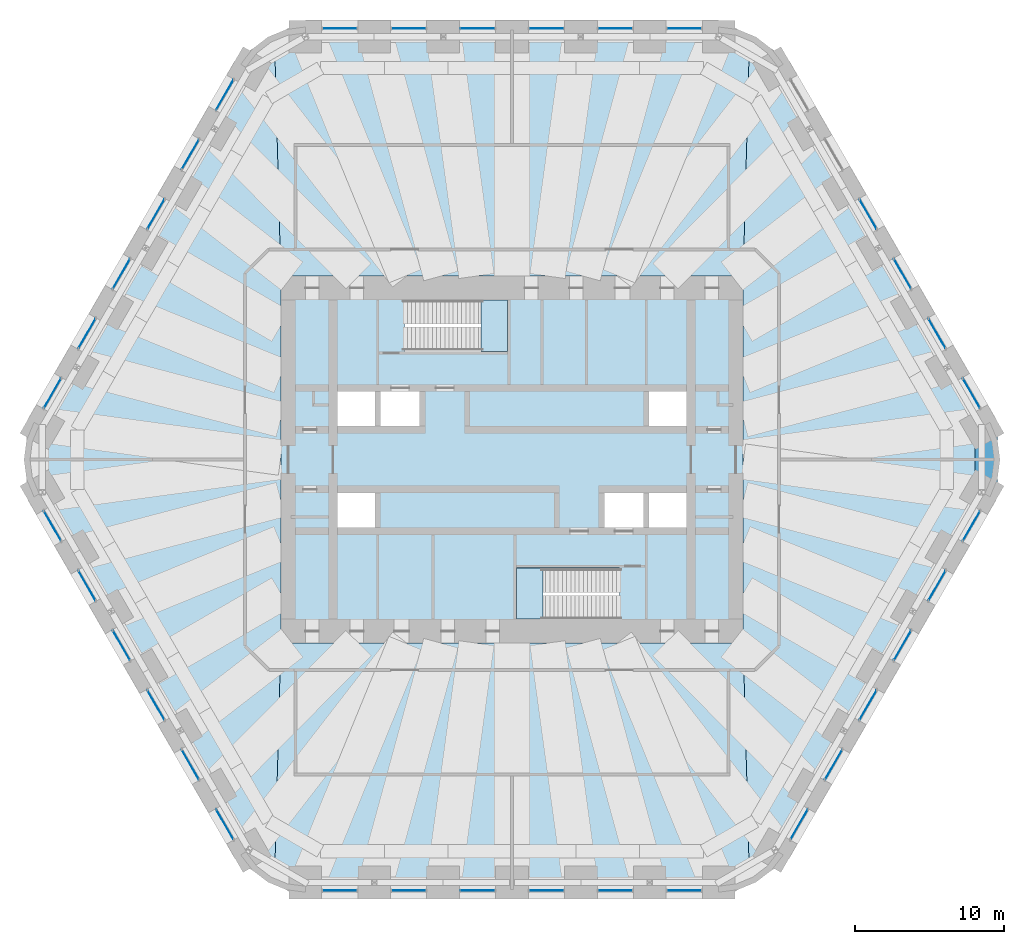
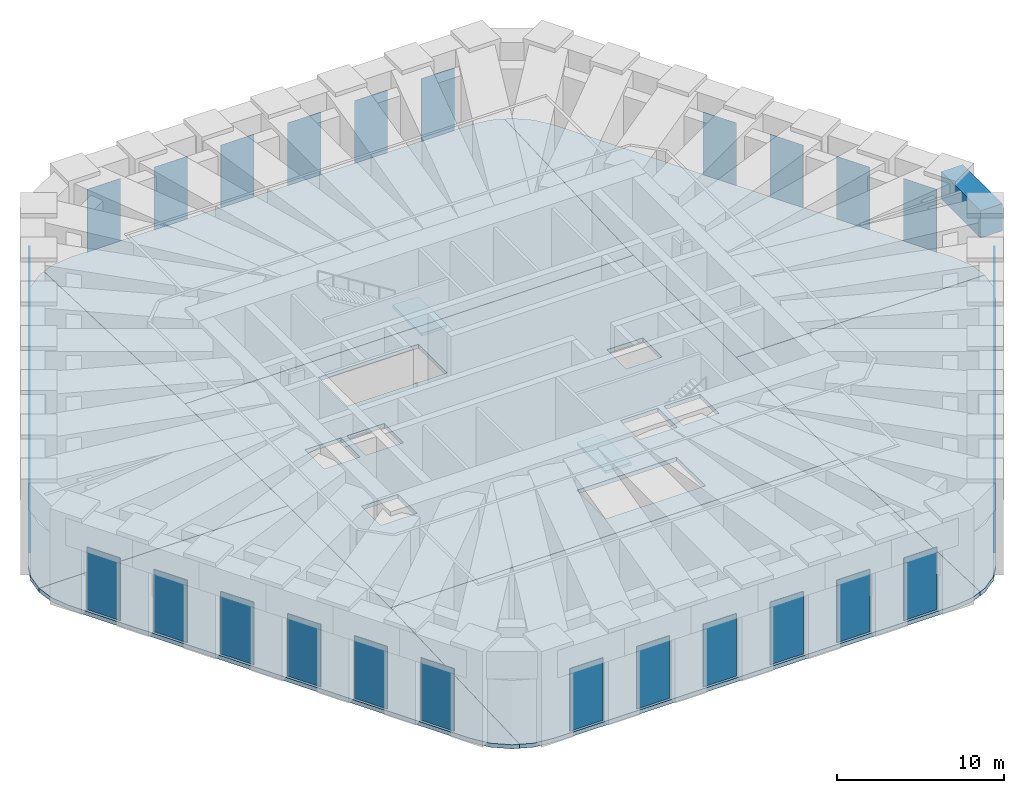
# One storey, part 10 of 14: 34 plates, 9 slabs, 1 beam, 36 elements without a shape of their own.
"""IFC4 building model written with IfcOpenShell, lengths in metres."""

from ifc_helpers import new_model, si_unit, direction, frame, origin, origin_2d, place, context, subcontext, project, spatial, polyline, rectangle, outline, extrude, material, layer, layer_set, material_profile, profile_set, type_object, element, aggregate, save


model = new_model("IFC4")

# Units and contexts
model_context = context("Model", 3, precision=1e-05, world=origin(), true_north=direction((0.0, 1.0)))
body_context = subcontext(model_context, "Body", "Model", "MODEL_VIEW")
ifc_project = project(units=[si_unit("LENGTHUNIT", "METRE"), si_unit("AREAUNIT", "SQUARE_METRE"), si_unit("VOLUMEUNIT", "CUBIC_METRE"), si_unit("PLANEANGLEUNIT", "RADIAN"), si_unit("MASSUNIT", "GRAM", prefix="KILO")], contexts=[model_context])

# Site, building, storey
site_placement = place(None, origin())
site = spatial("IfcSite", under=ifc_project, at=site_placement, CompositionType="ELEMENT")
building_placement = place(site_placement, origin())
building = spatial("IfcBuilding", under=site, at=building_placement, Name="Tarfa Lantern Tower", CompositionType="ELEMENT")
storey_placement = place(building_placement, frame((0.0, 0.0, 299.5)))
storey = spatial("IfcBuildingStorey", under=building, at=storey_placement, Name="L68", CompositionType="ELEMENT", Elevation=299.5)

# Beam
ifc_material_1 = material(Name="Concrete C80/95", Category="concrete")
ifc_material_profile = material_profile(ifc_material_1, rectangle(XDim=1.5, YDim=2.0, at=origin_2d()), Name="RC 1500x2000")
ifc_profile_set = profile_set([ifc_material_profile], Name="Concrete C80/95")
beam_type = type_object("IfcBeamType", Name="RB3 RC 1500x2000", PredefinedType="BEAM", material=ifc_profile_set)
beam_placement = place(storey_placement, frame((31.800537109375, -2.360107421875, 5.699951171875), z_axis=(0.0, 1.0, 0.0), x_axis=(-1.0, 0.0, 0.0)))
element("IfcBeam", 1, at=beam_placement, inside=storey, type_object=beam_type, Name="Edge beam SE6", PredefinedType="BEAM", context=body_context, shape_type="SweptSolid", body=[
    extrude(rectangle(XDim=1.5, YDim=2.0, at=origin_2d()), origin(), (0.0, 0.0, 1.0), 4.72021484375),
])

# Curtain wall, plate
ifc_material_2 = material(Name="Aluminium framed curtain wall", Category="aluminium")
curtain_wall_type = type_object("IfcCurtainWallType", Name="CW6 LOUVRED SCREEN WALL 4700", PredefinedType="USERDEFINED", material=ifc_material_2)
curtain_wall_1_placement = place(storey_placement, origin())
curtain_wall_1 = element("IfcCurtainWall", 2, at=curtain_wall_1_placement, inside=storey, type_object=curtain_wall_type, Name="CW6 NE L68", ObjectType="CURTAIN WALL", PredefinedType="USERDEFINED")
ifc_material_3 = material(Name="Aluminium louvre blades", Category="aluminium")
ifc_layer_1 = layer(ifc_material_3, 0.028076171875)
ifc_layer_set_1 = layer_set([ifc_layer_1], Name="CWP2 LOUVRE PANEL")
plate_type = type_object("IfcPlateType", Name="CWP2 LOUVRE PANEL", PredefinedType="CURTAIN_PANEL", material=ifc_layer_set_1)
plate_1_placement = place(storey_placement, frame((30.8017578125, 4.449951171875, 0.06494140625), z_axis=(0.0, 0.0, 1.0), x_axis=(-0.5, 0.866025403784, 0.0)))
plate_1 = element("IfcPlate", 3, at=plate_1_placement, type_object=plate_type, Name="CW6 panel 1.1", PredefinedType="CURTAIN_PANEL", context=body_context, shape_type="SweptSolid", body=[
    extrude(rectangle(XDim=2.288818359375, YDim=0.028076171875, at=origin_2d()), origin(), (0.0, 0.0, 1.0), 4.570068359375),
])
aggregate(curtain_wall_1, [plate_1])

curtain_wall_2_placement = place(storey_placement, origin())
curtain_wall_2 = element("IfcCurtainWall", 4, at=curtain_wall_2_placement, inside=storey, type_object=curtain_wall_type, Name="CW6 NE L68", ObjectType="CURTAIN WALL", PredefinedType="USERDEFINED")
plate_2_placement = place(storey_placement, frame((28.4921875, 8.449951171875, 0.06494140625), z_axis=(0.0, 0.0, 1.0), x_axis=(-0.5, 0.866025403784, 0.0)))
plate_2 = element("IfcPlate", 5, at=plate_2_placement, type_object=plate_type, Name="CW6 panel 1.1", PredefinedType="CURTAIN_PANEL", context=body_context, shape_type="SweptSolid", body=[
    extrude(rectangle(XDim=2.288818359375, YDim=0.028076171875, at=origin_2d()), origin(), (0.0, 0.0, 1.0), 4.570068359375),
])
aggregate(curtain_wall_2, [plate_2])

curtain_wall_3_placement = place(storey_placement, origin())
curtain_wall_3 = element("IfcCurtainWall", 6, at=curtain_wall_3_placement, inside=storey, type_object=curtain_wall_type, Name="CW6 NE L68", ObjectType="CURTAIN WALL", PredefinedType="USERDEFINED")
plate_3_placement = place(storey_placement, frame((26.182861328125, 12.449951171875, 0.06494140625), z_axis=(0.0, 0.0, 1.0), x_axis=(-0.5, 0.866025403784, 0.0)))
plate_3 = element("IfcPlate", 7, at=plate_3_placement, type_object=plate_type, Name="CW6 panel 1.1", PredefinedType="CURTAIN_PANEL", context=body_context, shape_type="SweptSolid", body=[
    extrude(rectangle(XDim=2.288818359375, YDim=0.028076171875, at=origin_2d()), origin(), (0.0, 0.0, 1.0), 4.570068359375),
])
aggregate(curtain_wall_3, [plate_3])

curtain_wall_4_placement = place(storey_placement, origin())
curtain_wall_4 = element("IfcCurtainWall", 8, at=curtain_wall_4_placement, inside=storey, type_object=curtain_wall_type, Name="CW6 NE L68", ObjectType="CURTAIN WALL", PredefinedType="USERDEFINED")
plate_4_placement = place(storey_placement, frame((23.87353515625, 16.449951171875, 0.06494140625), z_axis=(0.0, 0.0, 1.0), x_axis=(-0.5, 0.866025403784, 0.0)))
plate_4 = element("IfcPlate", 9, at=plate_4_placement, type_object=plate_type, Name="CW6 panel 1.1", PredefinedType="CURTAIN_PANEL", context=body_context, shape_type="SweptSolid", body=[
    extrude(rectangle(XDim=2.288818359375, YDim=0.028076171875, at=origin_2d()), origin(), (0.0, 0.0, 1.0), 4.570068359375),
])
aggregate(curtain_wall_4, [plate_4])

curtain_wall_5_placement = place(storey_placement, origin())
curtain_wall_5 = element("IfcCurtainWall", 10, at=curtain_wall_5_placement, inside=storey, type_object=curtain_wall_type, Name="CW6 N L68", ObjectType="CURTAIN WALL", PredefinedType="USERDEFINED")
plate_5_placement = place(storey_placement, frame((11.547119140625, 28.89990234375, 0.06494140625), z_axis=(0.0, 0.0, 1.0), x_axis=(-1.0, 0.0, 0.0)))
plate_5 = element("IfcPlate", 11, at=plate_5_placement, type_object=plate_type, Name="CW6 panel 1.1", PredefinedType="CURTAIN_PANEL", context=body_context, shape_type="SweptSolid", body=[
    extrude(rectangle(XDim=2.288818359375, YDim=0.028076171875, at=origin_2d()), origin(), (0.0, 0.0, 1.0), 4.570068359375),
])
aggregate(curtain_wall_5, [plate_5])

curtain_wall_6_placement = place(storey_placement, origin())
curtain_wall_6 = element("IfcCurtainWall", 12, at=curtain_wall_6_placement, inside=storey, type_object=curtain_wall_type, Name="CW6 N L68", ObjectType="CURTAIN WALL", PredefinedType="USERDEFINED")
plate_6_placement = place(storey_placement, frame((6.92822265625, 28.89990234375, 0.06494140625), z_axis=(0.0, 0.0, 1.0), x_axis=(-1.0, 0.0, 0.0)))
plate_6 = element("IfcPlate", 13, at=plate_6_placement, type_object=plate_type, Name="CW6 panel 1.1", PredefinedType="CURTAIN_PANEL", context=body_context, shape_type="SweptSolid", body=[
    extrude(rectangle(XDim=2.288818359375, YDim=0.028076171875, at=origin_2d()), origin(), (0.0, 0.0, 1.0), 4.570068359375),
])
aggregate(curtain_wall_6, [plate_6])

curtain_wall_7_placement = place(storey_placement, origin())
curtain_wall_7 = element("IfcCurtainWall", 14, at=curtain_wall_7_placement, inside=storey, type_object=curtain_wall_type, Name="CW6 N L68", ObjectType="CURTAIN WALL", PredefinedType="USERDEFINED")
plate_7_placement = place(storey_placement, frame((2.309326171875, 28.89990234375, 0.06494140625), z_axis=(0.0, 0.0, 1.0), x_axis=(-1.0, 0.0, 0.0)))
plate_7 = element("IfcPlate", 15, at=plate_7_placement, type_object=plate_type, Name="CW6 panel 1.1", PredefinedType="CURTAIN_PANEL", context=body_context, shape_type="SweptSolid", body=[
    extrude(rectangle(XDim=2.288818359375, YDim=0.028076171875, at=origin_2d()), origin(), (0.0, 0.0, 1.0), 4.570068359375),
])
aggregate(curtain_wall_7, [plate_7])

curtain_wall_8_placement = place(storey_placement, origin())
curtain_wall_8 = element("IfcCurtainWall", 16, at=curtain_wall_8_placement, inside=storey, type_object=curtain_wall_type, Name="CW6 N L68", ObjectType="CURTAIN WALL", PredefinedType="USERDEFINED")
plate_8_placement = place(storey_placement, frame((-2.309326171875, 28.89990234375, 0.06494140625), z_axis=(0.0, 0.0, 1.0), x_axis=(-1.0, 0.0, 0.0)))
plate_8 = element("IfcPlate", 17, at=plate_8_placement, type_object=plate_type, Name="CW6 panel 1.1", PredefinedType="CURTAIN_PANEL", context=body_context, shape_type="SweptSolid", body=[
    extrude(rectangle(XDim=2.288818359375, YDim=0.028076171875, at=origin_2d()), origin(), (0.0, 0.0, 1.0), 4.570068359375),
])
aggregate(curtain_wall_8, [plate_8])

curtain_wall_9_placement = place(storey_placement, origin())
curtain_wall_9 = element("IfcCurtainWall", 18, at=curtain_wall_9_placement, inside=storey, type_object=curtain_wall_type, Name="CW6 N L68", ObjectType="CURTAIN WALL", PredefinedType="USERDEFINED")
plate_9_placement = place(storey_placement, frame((-6.92822265625, 28.89990234375, 0.06494140625), z_axis=(0.0, 0.0, 1.0), x_axis=(-1.0, 0.0, 0.0)))
plate_9 = element("IfcPlate", 19, at=plate_9_placement, type_object=plate_type, Name="CW6 panel 1.1", PredefinedType="CURTAIN_PANEL", context=body_context, shape_type="SweptSolid", body=[
    extrude(rectangle(XDim=2.288818359375, YDim=0.028076171875, at=origin_2d()), origin(), (0.0, 0.0, 1.0), 4.570068359375),
])
aggregate(curtain_wall_9, [plate_9])

curtain_wall_10_placement = place(storey_placement, origin())
curtain_wall_10 = element("IfcCurtainWall", 20, at=curtain_wall_10_placement, inside=storey, type_object=curtain_wall_type, Name="CW6 N L68", ObjectType="CURTAIN WALL", PredefinedType="USERDEFINED")
plate_10_placement = place(storey_placement, frame((-11.547119140625, 28.89990234375, 0.06494140625), z_axis=(0.0, 0.0, 1.0), x_axis=(-1.0, 0.0, 0.0)))
plate_10 = element("IfcPlate", 21, at=plate_10_placement, type_object=plate_type, Name="CW6 panel 1.1", PredefinedType="CURTAIN_PANEL", context=body_context, shape_type="SweptSolid", body=[
    extrude(rectangle(XDim=2.288818359375, YDim=0.028076171875, at=origin_2d()), origin(), (0.0, 0.0, 1.0), 4.570068359375),
])
aggregate(curtain_wall_10, [plate_10])

curtain_wall_11_placement = place(storey_placement, origin())
curtain_wall_11 = element("IfcCurtainWall", 22, at=curtain_wall_11_placement, inside=storey, type_object=curtain_wall_type, Name="CW6 NW L68", ObjectType="CURTAIN WALL", PredefinedType="USERDEFINED")
plate_11_placement = place(storey_placement, frame((-19.254638671875, 24.449951171875, 0.06494140625), z_axis=(0.0, 0.0, 1.0), x_axis=(-0.5, -0.866025403784, 0.0)))
plate_11 = element("IfcPlate", 23, at=plate_11_placement, type_object=plate_type, Name="CW6 panel 1.1", PredefinedType="CURTAIN_PANEL", context=body_context, shape_type="SweptSolid", body=[
    extrude(rectangle(XDim=2.288818359375, YDim=0.028076171875, at=origin_2d()), origin(), (0.0, 0.0, 1.0), 4.570068359375),
])
aggregate(curtain_wall_11, [plate_11])

curtain_wall_12_placement = place(storey_placement, origin())
curtain_wall_12 = element("IfcCurtainWall", 24, at=curtain_wall_12_placement, inside=storey, type_object=curtain_wall_type, Name="CW6 NW L68", ObjectType="CURTAIN WALL", PredefinedType="USERDEFINED")
plate_12_placement = place(storey_placement, frame((-21.56396484375, 20.449951171875, 0.06494140625), z_axis=(0.0, 0.0, 1.0), x_axis=(-0.5, -0.866025403784, 0.0)))
plate_12 = element("IfcPlate", 25, at=plate_12_placement, type_object=plate_type, Name="CW6 panel 1.1", PredefinedType="CURTAIN_PANEL", context=body_context, shape_type="SweptSolid", body=[
    extrude(rectangle(XDim=2.288818359375, YDim=0.028076171875, at=origin_2d()), origin(), (0.0, 0.0, 1.0), 4.570068359375),
])
aggregate(curtain_wall_12, [plate_12])

curtain_wall_13_placement = place(storey_placement, origin())
curtain_wall_13 = element("IfcCurtainWall", 26, at=curtain_wall_13_placement, inside=storey, type_object=curtain_wall_type, Name="CW6 NW L68", ObjectType="CURTAIN WALL", PredefinedType="USERDEFINED")
plate_13_placement = place(storey_placement, frame((-23.87353515625, 16.449951171875, 0.06494140625), z_axis=(0.0, 0.0, 1.0), x_axis=(-0.5, -0.866025403784, 0.0)))
plate_13 = element("IfcPlate", 27, at=plate_13_placement, type_object=plate_type, Name="CW6 panel 1.1", PredefinedType="CURTAIN_PANEL", context=body_context, shape_type="SweptSolid", body=[
    extrude(rectangle(XDim=2.288818359375, YDim=0.028076171875, at=origin_2d()), origin(), (0.0, 0.0, 1.0), 4.570068359375),
])
aggregate(curtain_wall_13, [plate_13])

curtain_wall_14_placement = place(storey_placement, origin())
curtain_wall_14 = element("IfcCurtainWall", 28, at=curtain_wall_14_placement, inside=storey, type_object=curtain_wall_type, Name="CW6 NW L68", ObjectType="CURTAIN WALL", PredefinedType="USERDEFINED")
plate_14_placement = place(storey_placement, frame((-26.182861328125, 12.449951171875, 0.06494140625), z_axis=(0.0, 0.0, 1.0), x_axis=(-0.5, -0.866025403784, 0.0)))
plate_14 = element("IfcPlate", 29, at=plate_14_placement, type_object=plate_type, Name="CW6 panel 1.1", PredefinedType="CURTAIN_PANEL", context=body_context, shape_type="SweptSolid", body=[
    extrude(rectangle(XDim=2.288818359375, YDim=0.028076171875, at=origin_2d()), origin(), (0.0, 0.0, 1.0), 4.570068359375),
])
aggregate(curtain_wall_14, [plate_14])

curtain_wall_15_placement = place(storey_placement, origin())
curtain_wall_15 = element("IfcCurtainWall", 30, at=curtain_wall_15_placement, inside=storey, type_object=curtain_wall_type, Name="CW6 NW L68", ObjectType="CURTAIN WALL", PredefinedType="USERDEFINED")
plate_15_placement = place(storey_placement, frame((-28.4921875, 8.449951171875, 0.06494140625), z_axis=(0.0, 0.0, 1.0), x_axis=(-0.5, -0.866025403784, 0.0)))
plate_15 = element("IfcPlate", 31, at=plate_15_placement, type_object=plate_type, Name="CW6 panel 1.1", PredefinedType="CURTAIN_PANEL", context=body_context, shape_type="SweptSolid", body=[
    extrude(rectangle(XDim=2.288818359375, YDim=0.028076171875, at=origin_2d()), origin(), (0.0, 0.0, 1.0), 4.570068359375),
])
aggregate(curtain_wall_15, [plate_15])

curtain_wall_16_placement = place(storey_placement, origin())
curtain_wall_16 = element("IfcCurtainWall", 32, at=curtain_wall_16_placement, inside=storey, type_object=curtain_wall_type, Name="CW6 NW L68", ObjectType="CURTAIN WALL", PredefinedType="USERDEFINED")
plate_16_placement = place(storey_placement, frame((-30.8017578125, 4.449951171875, 0.06494140625), z_axis=(0.0, 0.0, 1.0), x_axis=(-0.5, -0.866025403784, 0.0)))
plate_16 = element("IfcPlate", 33, at=plate_16_placement, type_object=plate_type, Name="CW6 panel 1.1", PredefinedType="CURTAIN_PANEL", context=body_context, shape_type="SweptSolid", body=[
    extrude(rectangle(XDim=2.288818359375, YDim=0.028076171875, at=origin_2d()), origin(), (0.0, 0.0, 1.0), 4.570068359375),
])
aggregate(curtain_wall_16, [plate_16])

curtain_wall_17_placement = place(storey_placement, origin())
curtain_wall_17 = element("IfcCurtainWall", 34, at=curtain_wall_17_placement, inside=storey, type_object=curtain_wall_type, Name="CW6 SW L68", ObjectType="CURTAIN WALL", PredefinedType="USERDEFINED")
plate_17_placement = place(storey_placement, frame((-30.8017578125, -4.449951171875, 0.06494140625), z_axis=(0.0, 0.0, 1.0), x_axis=(0.5, -0.866025403784, 0.0)))
plate_17 = element("IfcPlate", 35, at=plate_17_placement, type_object=plate_type, Name="CW6 panel 1.1", PredefinedType="CURTAIN_PANEL", context=body_context, shape_type="SweptSolid", body=[
    extrude(rectangle(XDim=2.288818359375, YDim=0.028076171875, at=origin_2d()), origin(), (0.0, 0.0, 1.0), 4.570068359375),
])
aggregate(curtain_wall_17, [plate_17])

curtain_wall_18_placement = place(storey_placement, origin())
curtain_wall_18 = element("IfcCurtainWall", 36, at=curtain_wall_18_placement, inside=storey, type_object=curtain_wall_type, Name="CW6 SW L68", ObjectType="CURTAIN WALL", PredefinedType="USERDEFINED")
plate_18_placement = place(storey_placement, frame((-28.4921875, -8.449951171875, 0.06494140625), z_axis=(0.0, 0.0, 1.0), x_axis=(0.5, -0.866025403784, 0.0)))
plate_18 = element("IfcPlate", 37, at=plate_18_placement, type_object=plate_type, Name="CW6 panel 1.1", PredefinedType="CURTAIN_PANEL", context=body_context, shape_type="SweptSolid", body=[
    extrude(rectangle(XDim=2.288818359375, YDim=0.028076171875, at=origin_2d()), origin(), (0.0, 0.0, 1.0), 4.570068359375),
])
aggregate(curtain_wall_18, [plate_18])

curtain_wall_19_placement = place(storey_placement, origin())
curtain_wall_19 = element("IfcCurtainWall", 38, at=curtain_wall_19_placement, inside=storey, type_object=curtain_wall_type, Name="CW6 SW L68", ObjectType="CURTAIN WALL", PredefinedType="USERDEFINED")
plate_19_placement = place(storey_placement, frame((-26.182861328125, -12.449951171875, 0.06494140625), z_axis=(0.0, 0.0, 1.0), x_axis=(0.5, -0.866025403784, 0.0)))
plate_19 = element("IfcPlate", 39, at=plate_19_placement, type_object=plate_type, Name="CW6 panel 1.1", PredefinedType="CURTAIN_PANEL", context=body_context, shape_type="SweptSolid", body=[
    extrude(rectangle(XDim=2.288818359375, YDim=0.028076171875, at=origin_2d()), origin(), (0.0, 0.0, 1.0), 4.570068359375),
])
aggregate(curtain_wall_19, [plate_19])

curtain_wall_20_placement = place(storey_placement, origin())
curtain_wall_20 = element("IfcCurtainWall", 40, at=curtain_wall_20_placement, inside=storey, type_object=curtain_wall_type, Name="CW6 SW L68", ObjectType="CURTAIN WALL", PredefinedType="USERDEFINED")
plate_20_placement = place(storey_placement, frame((-23.87353515625, -16.449951171875, 0.06494140625), z_axis=(0.0, 0.0, 1.0), x_axis=(0.5, -0.866025403784, 0.0)))
plate_20 = element("IfcPlate", 41, at=plate_20_placement, type_object=plate_type, Name="CW6 panel 1.1", PredefinedType="CURTAIN_PANEL", context=body_context, shape_type="SweptSolid", body=[
    extrude(rectangle(XDim=2.288818359375, YDim=0.028076171875, at=origin_2d()), origin(), (0.0, 0.0, 1.0), 4.570068359375),
])
aggregate(curtain_wall_20, [plate_20])

curtain_wall_21_placement = place(storey_placement, origin())
curtain_wall_21 = element("IfcCurtainWall", 42, at=curtain_wall_21_placement, inside=storey, type_object=curtain_wall_type, Name="CW6 SW L68", ObjectType="CURTAIN WALL", PredefinedType="USERDEFINED")
plate_21_placement = place(storey_placement, frame((-21.56396484375, -20.449951171875, 0.06494140625), z_axis=(0.0, 0.0, 1.0), x_axis=(0.5, -0.866025403784, 0.0)))
plate_21 = element("IfcPlate", 43, at=plate_21_placement, type_object=plate_type, Name="CW6 panel 1.1", PredefinedType="CURTAIN_PANEL", context=body_context, shape_type="SweptSolid", body=[
    extrude(rectangle(XDim=2.288818359375, YDim=0.028076171875, at=origin_2d()), origin(), (0.0, 0.0, 1.0), 4.570068359375),
])
aggregate(curtain_wall_21, [plate_21])

curtain_wall_22_placement = place(storey_placement, origin())
curtain_wall_22 = element("IfcCurtainWall", 44, at=curtain_wall_22_placement, inside=storey, type_object=curtain_wall_type, Name="CW6 SW L68", ObjectType="CURTAIN WALL", PredefinedType="USERDEFINED")
plate_22_placement = place(storey_placement, frame((-19.254638671875, -24.449951171875, 0.06494140625), z_axis=(0.0, 0.0, 1.0), x_axis=(0.5, -0.866025403784, 0.0)))
plate_22 = element("IfcPlate", 45, at=plate_22_placement, type_object=plate_type, Name="CW6 panel 1.1", PredefinedType="CURTAIN_PANEL", context=body_context, shape_type="SweptSolid", body=[
    extrude(rectangle(XDim=2.288818359375, YDim=0.028076171875, at=origin_2d()), origin(), (0.0, 0.0, 1.0), 4.570068359375),
])
aggregate(curtain_wall_22, [plate_22])

curtain_wall_23_placement = place(storey_placement, origin())
curtain_wall_23 = element("IfcCurtainWall", 46, at=curtain_wall_23_placement, inside=storey, type_object=curtain_wall_type, Name="CW6 S L68", ObjectType="CURTAIN WALL", PredefinedType="USERDEFINED")
plate_23_placement = place(storey_placement, frame((-11.547119140625, -28.89990234375, 0.06494140625), z_axis=(0.0, 0.0, 1.0), x_axis=(1.0, 0.0, 0.0)))
plate_23 = element("IfcPlate", 47, at=plate_23_placement, type_object=plate_type, Name="CW6 panel 1.1", PredefinedType="CURTAIN_PANEL", context=body_context, shape_type="SweptSolid", body=[
    extrude(rectangle(XDim=2.288818359375, YDim=0.028076171875, at=origin_2d()), origin(), (0.0, 0.0, 1.0), 4.570068359375),
])
aggregate(curtain_wall_23, [plate_23])

curtain_wall_24_placement = place(storey_placement, origin())
curtain_wall_24 = element("IfcCurtainWall", 48, at=curtain_wall_24_placement, inside=storey, type_object=curtain_wall_type, Name="CW6 S L68", ObjectType="CURTAIN WALL", PredefinedType="USERDEFINED")
plate_24_placement = place(storey_placement, frame((-6.92822265625, -28.89990234375, 0.06494140625), z_axis=(0.0, 0.0, 1.0), x_axis=(1.0, 0.0, 0.0)))
plate_24 = element("IfcPlate", 49, at=plate_24_placement, type_object=plate_type, Name="CW6 panel 1.1", PredefinedType="CURTAIN_PANEL", context=body_context, shape_type="SweptSolid", body=[
    extrude(rectangle(XDim=2.288818359375, YDim=0.028076171875, at=origin_2d()), origin(), (0.0, 0.0, 1.0), 4.570068359375),
])
aggregate(curtain_wall_24, [plate_24])

curtain_wall_25_placement = place(storey_placement, origin())
curtain_wall_25 = element("IfcCurtainWall", 50, at=curtain_wall_25_placement, inside=storey, type_object=curtain_wall_type, Name="CW6 S L68", ObjectType="CURTAIN WALL", PredefinedType="USERDEFINED")
plate_25_placement = place(storey_placement, frame((-2.309326171875, -28.89990234375, 0.06494140625), z_axis=(0.0, 0.0, 1.0), x_axis=(1.0, 0.0, 0.0)))
plate_25 = element("IfcPlate", 51, at=plate_25_placement, type_object=plate_type, Name="CW6 panel 1.1", PredefinedType="CURTAIN_PANEL", context=body_context, shape_type="SweptSolid", body=[
    extrude(rectangle(XDim=2.288818359375, YDim=0.028076171875, at=origin_2d()), origin(), (0.0, 0.0, 1.0), 4.570068359375),
])
aggregate(curtain_wall_25, [plate_25])

curtain_wall_26_placement = place(storey_placement, origin())
curtain_wall_26 = element("IfcCurtainWall", 52, at=curtain_wall_26_placement, inside=storey, type_object=curtain_wall_type, Name="CW6 S L68", ObjectType="CURTAIN WALL", PredefinedType="USERDEFINED")
plate_26_placement = place(storey_placement, frame((2.309326171875, -28.89990234375, 0.06494140625), z_axis=(0.0, 0.0, 1.0), x_axis=(1.0, 0.0, 0.0)))
plate_26 = element("IfcPlate", 53, at=plate_26_placement, type_object=plate_type, Name="CW6 panel 1.1", PredefinedType="CURTAIN_PANEL", context=body_context, shape_type="SweptSolid", body=[
    extrude(rectangle(XDim=2.288818359375, YDim=0.028076171875, at=origin_2d()), origin(), (0.0, 0.0, 1.0), 4.570068359375),
])
aggregate(curtain_wall_26, [plate_26])

curtain_wall_27_placement = place(storey_placement, origin())
curtain_wall_27 = element("IfcCurtainWall", 54, at=curtain_wall_27_placement, inside=storey, type_object=curtain_wall_type, Name="CW6 S L68", ObjectType="CURTAIN WALL", PredefinedType="USERDEFINED")
plate_27_placement = place(storey_placement, frame((6.92822265625, -28.89990234375, 0.06494140625), z_axis=(0.0, 0.0, 1.0), x_axis=(1.0, 0.0, 0.0)))
plate_27 = element("IfcPlate", 55, at=plate_27_placement, type_object=plate_type, Name="CW6 panel 1.1", PredefinedType="CURTAIN_PANEL", context=body_context, shape_type="SweptSolid", body=[
    extrude(rectangle(XDim=2.288818359375, YDim=0.028076171875, at=origin_2d()), origin(), (0.0, 0.0, 1.0), 4.570068359375),
])
aggregate(curtain_wall_27, [plate_27])

curtain_wall_28_placement = place(storey_placement, origin())
curtain_wall_28 = element("IfcCurtainWall", 56, at=curtain_wall_28_placement, inside=storey, type_object=curtain_wall_type, Name="CW6 S L68", ObjectType="CURTAIN WALL", PredefinedType="USERDEFINED")
plate_28_placement = place(storey_placement, frame((11.547119140625, -28.89990234375, 0.06494140625), z_axis=(0.0, 0.0, 1.0), x_axis=(1.0, 0.0, 0.0)))
plate_28 = element("IfcPlate", 57, at=plate_28_placement, type_object=plate_type, Name="CW6 panel 1.1", PredefinedType="CURTAIN_PANEL", context=body_context, shape_type="SweptSolid", body=[
    extrude(rectangle(XDim=2.288818359375, YDim=0.028076171875, at=origin_2d()), origin(), (0.0, 0.0, 1.0), 4.570068359375),
])
aggregate(curtain_wall_28, [plate_28])

curtain_wall_29_placement = place(storey_placement, origin())
curtain_wall_29 = element("IfcCurtainWall", 58, at=curtain_wall_29_placement, inside=storey, type_object=curtain_wall_type, Name="CW6 SE L68", ObjectType="CURTAIN WALL", PredefinedType="USERDEFINED")
plate_29_placement = place(storey_placement, frame((19.254638671875, -24.449951171875, 0.06494140625), z_axis=(0.0, 0.0, 1.0), x_axis=(0.5, 0.866025403784, 0.0)))
plate_29 = element("IfcPlate", 59, at=plate_29_placement, type_object=plate_type, Name="CW6 panel 1.1", PredefinedType="CURTAIN_PANEL", context=body_context, shape_type="SweptSolid", body=[
    extrude(rectangle(XDim=2.288818359375, YDim=0.028076171875, at=origin_2d()), origin(), (0.0, 0.0, 1.0), 4.570068359375),
])
aggregate(curtain_wall_29, [plate_29])

curtain_wall_30_placement = place(storey_placement, origin())
curtain_wall_30 = element("IfcCurtainWall", 60, at=curtain_wall_30_placement, inside=storey, type_object=curtain_wall_type, Name="CW6 SE L68", ObjectType="CURTAIN WALL", PredefinedType="USERDEFINED")
plate_30_placement = place(storey_placement, frame((21.56396484375, -20.449951171875, 0.06494140625), z_axis=(0.0, 0.0, 1.0), x_axis=(0.5, 0.866025403784, 0.0)))
plate_30 = element("IfcPlate", 61, at=plate_30_placement, type_object=plate_type, Name="CW6 panel 1.1", PredefinedType="CURTAIN_PANEL", context=body_context, shape_type="SweptSolid", body=[
    extrude(rectangle(XDim=2.288818359375, YDim=0.028076171875, at=origin_2d()), origin(), (0.0, 0.0, 1.0), 4.570068359375),
])
aggregate(curtain_wall_30, [plate_30])

curtain_wall_31_placement = place(storey_placement, origin())
curtain_wall_31 = element("IfcCurtainWall", 62, at=curtain_wall_31_placement, inside=storey, type_object=curtain_wall_type, Name="CW6 SE L68", ObjectType="CURTAIN WALL", PredefinedType="USERDEFINED")
plate_31_placement = place(storey_placement, frame((23.87353515625, -16.449951171875, 0.06494140625), z_axis=(0.0, 0.0, 1.0), x_axis=(0.5, 0.866025403784, 0.0)))
plate_31 = element("IfcPlate", 63, at=plate_31_placement, type_object=plate_type, Name="CW6 panel 1.1", PredefinedType="CURTAIN_PANEL", context=body_context, shape_type="SweptSolid", body=[
    extrude(rectangle(XDim=2.288818359375, YDim=0.028076171875, at=origin_2d()), origin(), (0.0, 0.0, 1.0), 4.570068359375),
])
aggregate(curtain_wall_31, [plate_31])

curtain_wall_32_placement = place(storey_placement, origin())
curtain_wall_32 = element("IfcCurtainWall", 64, at=curtain_wall_32_placement, inside=storey, type_object=curtain_wall_type, Name="CW6 SE L68", ObjectType="CURTAIN WALL", PredefinedType="USERDEFINED")
plate_32_placement = place(storey_placement, frame((26.182861328125, -12.449951171875, 0.06494140625), z_axis=(0.0, 0.0, 1.0), x_axis=(0.5, 0.866025403784, 0.0)))
plate_32 = element("IfcPlate", 65, at=plate_32_placement, type_object=plate_type, Name="CW6 panel 1.1", PredefinedType="CURTAIN_PANEL", context=body_context, shape_type="SweptSolid", body=[
    extrude(rectangle(XDim=2.288818359375, YDim=0.028076171875, at=origin_2d()), origin(), (0.0, 0.0, 1.0), 4.570068359375),
])
aggregate(curtain_wall_32, [plate_32])

curtain_wall_33_placement = place(storey_placement, origin())
curtain_wall_33 = element("IfcCurtainWall", 66, at=curtain_wall_33_placement, inside=storey, type_object=curtain_wall_type, Name="CW6 SE L68", ObjectType="CURTAIN WALL", PredefinedType="USERDEFINED")
plate_33_placement = place(storey_placement, frame((28.4921875, -8.449951171875, 0.06494140625), z_axis=(0.0, 0.0, 1.0), x_axis=(0.5, 0.866025403784, 0.0)))
plate_33 = element("IfcPlate", 67, at=plate_33_placement, type_object=plate_type, Name="CW6 panel 1.1", PredefinedType="CURTAIN_PANEL", context=body_context, shape_type="SweptSolid", body=[
    extrude(rectangle(XDim=2.288818359375, YDim=0.028076171875, at=origin_2d()), origin(), (0.0, 0.0, 1.0), 4.570068359375),
])
aggregate(curtain_wall_33, [plate_33])

curtain_wall_34_placement = place(storey_placement, origin())
curtain_wall_34 = element("IfcCurtainWall", 68, at=curtain_wall_34_placement, inside=storey, type_object=curtain_wall_type, Name="CW6 SE L68", ObjectType="CURTAIN WALL", PredefinedType="USERDEFINED")
plate_34_placement = place(storey_placement, frame((30.8017578125, -4.449951171875, 0.06494140625), z_axis=(0.0, 0.0, 1.0), x_axis=(0.5, 0.866025403784, 0.0)))
plate_34 = element("IfcPlate", 69, at=plate_34_placement, type_object=plate_type, Name="CW6 panel 1.1", PredefinedType="CURTAIN_PANEL", context=body_context, shape_type="SweptSolid", body=[
    extrude(rectangle(XDim=2.288818359375, YDim=0.028076171875, at=origin_2d()), origin(), (0.0, 0.0, 1.0), 4.570068359375),
])
aggregate(curtain_wall_34, [plate_34])

# Slabs
ifc_material_4 = material(Name="Concrete C40/50", Category="concrete")
ifc_layer_2 = layer(ifc_material_4, 0.300048828125)
ifc_layer_set_2 = layer_set([ifc_layer_2], Name="FS2 FLOOR SLAB 300")
slab_type_1 = type_object("IfcSlabType", Name="FS2 FLOOR SLAB 300", PredefinedType="FLOOR", material=ifc_layer_set_2)
slab_1_placement = place(storey_placement, frame((0.0, 0.0, -0.300048828125)))
element("IfcSlab", 70, at=slab_1_placement, inside=storey, type_object=slab_type_1, Name="Floor slab L68", PredefinedType="FLOOR", context=body_context, shape_type="SweptSolid", body=[
    extrude(outline(polyline([(-15.5, -12.300048828125), (15.5, -12.300048828125), (15.5, 12.300048828125), (-15.5, 12.300048828125), (-15.5, -12.300048828125)]), holes=[polyline([(-11.699951171875, 2.25), (-9.199951171875, 2.25), (-9.199951171875, 4.550048828125), (-11.699951171875, 4.550048828125), (-11.699951171875, 2.25)]), polyline([(-8.800048828125, 2.25), (-6.199951171875, 2.25), (-6.199951171875, 4.550048828125), (-8.800048828125, 4.550048828125), (-8.800048828125, 2.25)]), polyline([(9.199951171875, 2.25), (11.699951171875, 2.25), (11.699951171875, 4.550048828125), (9.199951171875, 4.550048828125), (9.199951171875, 2.25)]), polyline([(11.699951171875, -2.25), (9.199951171875, -2.25), (9.199951171875, -4.550048828125), (11.699951171875, -4.550048828125), (11.699951171875, -2.25)]), polyline([(8.800048828125, -2.25), (6.199951171875, -2.25), (6.199951171875, -4.550048828125), (8.800048828125, -4.550048828125), (8.800048828125, -2.25)]), polyline([(-9.199951171875, -2.25), (-11.699951171875, -2.25), (-11.699951171875, -4.550048828125), (-9.199951171875, -4.550048828125), (-9.199951171875, -2.25)]), polyline([(-7.199951171875, 7.25), (-0.300048828125, 7.25), (-0.300048828125, 10.699951171875), (-7.199951171875, 10.699951171875), (-7.199951171875, 7.25)]), polyline([(7.199951171875, -7.25), (0.300048828125, -7.25), (0.300048828125, -10.699951171875), (7.199951171875, -10.699951171875), (7.199951171875, -7.25)])]), origin(), (0.0, 0.0, 1.0), 0.300048828125),
])
slab_2_placement = place(storey_placement, frame((0.0, 0.0, -0.300048828125)))
element("IfcSlab", 71, at=slab_2_placement, inside=storey, type_object=slab_type_1, Name="Floor slab L68 NE bay", PredefinedType="FLOOR", context=body_context, shape_type="SweptSolid", body=[
    extrude(outline(polyline([(32.041259765625, 2.4990234375), (18.184814453125, 26.498779296875), (17.390625, 27.5341796875), (16.35546875, 28.328369140625), (15.927490234375, 28.505615234375), (15.501953125, 12.300048828125), (15.501953125, 0.001953125), (32.71044921875, 0.001953125), (32.54052734375, 1.29345703125), (32.041259765625, 2.4990234375)])), origin(), (0.0, 0.0, 1.0), 0.300048828125),
])
slab_3_placement = place(storey_placement, frame((0.0, 0.0, -0.300048828125)))
element("IfcSlab", 72, at=slab_3_placement, inside=storey, type_object=slab_type_1, Name="Floor slab L68 N bay", PredefinedType="FLOOR", context=body_context, shape_type="SweptSolid", body=[
    extrude(outline(polyline([(-15.498046875, 12.302001953125), (15.498046875, 12.302001953125), (15.923583984375, 28.50732421875), (15.14990234375, 28.82763671875), (13.856201171875, 28.998046875), (-13.856201171875, 28.998046875), (-15.14990234375, 28.82763671875), (-15.923583984375, 28.50732421875), (-15.498046875, 12.302001953125)])), origin(), (0.0, 0.0, 1.0), 0.300048828125),
])
slab_4_placement = place(storey_placement, frame((0.0, 0.0, -0.300048828125)))
element("IfcSlab", 73, at=slab_4_placement, inside=storey, type_object=slab_type_1, Name="Floor slab L68 NW bay", PredefinedType="FLOOR", context=body_context, shape_type="SweptSolid", body=[
    extrude(outline(polyline([(-15.501953125, 0.001953125), (-15.501953125, 12.300048828125), (-15.927490234375, 28.505615234375), (-16.35546875, 28.328369140625), (-17.390625, 27.5341796875), (-18.184814453125, 26.498779296875), (-32.041259765625, 2.4990234375), (-32.54052734375, 1.29345703125), (-32.71044921875, 0.001953125), (-15.501953125, 0.001953125)])), origin(), (0.0, 0.0, 1.0), 0.300048828125),
])
slab_5_placement = place(storey_placement, frame((0.0, 0.0, -0.300048828125)))
element("IfcSlab", 74, at=slab_5_placement, inside=storey, type_object=slab_type_1, Name="Floor slab L68 SW bay", PredefinedType="FLOOR", context=body_context, shape_type="SweptSolid", body=[
    extrude(outline(polyline([(-15.501953125, -12.300048828125), (-15.501953125, -0.001953125), (-32.71044921875, -0.001953125), (-32.54052734375, -1.29345703125), (-32.041259765625, -2.4990234375), (-18.184814453125, -26.498779296875), (-17.390625, -27.5341796875), (-16.35546875, -28.328369140625), (-15.927490234375, -28.505615234375), (-15.501953125, -12.300048828125)])), origin(), (0.0, 0.0, 1.0), 0.300048828125),
])
slab_6_placement = place(storey_placement, frame((0.0, 0.0, -0.300048828125)))
element("IfcSlab", 75, at=slab_6_placement, inside=storey, type_object=slab_type_1, Name="Floor slab L68 S bay", PredefinedType="FLOOR", context=body_context, shape_type="SweptSolid", body=[
    extrude(outline(polyline([(15.498046875, -12.302001953125), (-15.498046875, -12.302001953125), (-15.923583984375, -28.50732421875), (-15.14990234375, -28.82763671875), (-13.856201171875, -28.998046875), (13.856201171875, -28.998046875), (15.14990234375, -28.82763671875), (15.923583984375, -28.50732421875), (15.498046875, -12.302001953125)])), origin(), (0.0, 0.0, 1.0), 0.300048828125),
])
slab_7_placement = place(storey_placement, frame((0.0, 0.0, -0.300048828125)))
element("IfcSlab", 76, at=slab_7_placement, inside=storey, type_object=slab_type_1, Name="Floor slab L68 SE bay", PredefinedType="FLOOR", context=body_context, shape_type="SweptSolid", body=[
    extrude(outline(polyline([(15.501953125, -0.001953125), (15.501953125, -12.300048828125), (15.927490234375, -28.505615234375), (16.35546875, -28.328369140625), (17.390625, -27.5341796875), (18.184814453125, -26.498779296875), (32.041259765625, -2.4990234375), (32.54052734375, -1.29345703125), (32.71044921875, -0.001953125), (15.501953125, -0.001953125)])), origin(), (0.0, 0.0, 1.0), 0.300048828125),
])

# Stair, slab
stair_type = type_object("IfcStairType", Name="ST-T3 HALF-TURN STAIR 7000 RISE", PredefinedType="HALF_TURN_STAIR", material=ifc_material_4)
stair_1_placement = place(storey_placement, origin())
stair_1 = element("IfcStair", 77, at=stair_1_placement, inside=storey, type_object=stair_type, Name="Stair ST1", PredefinedType="HALF_TURN_STAIR")
ifc_layer_3 = layer(ifc_material_4, 0.199951171875)
ifc_layer_set_3 = layer_set([ifc_layer_3], Name="SL1 STAIR LANDING 200")
slab_type_2 = type_object("IfcSlabType", Name="SL1 STAIR LANDING 200", PredefinedType="LANDING", material=ifc_layer_set_3)
slab_8_placement = place(storey_placement, frame((0.0, 0.0, 3.300048828125)))
slab_8 = element("IfcSlab", 78, at=slab_8_placement, type_object=slab_type_2, Name="ST1 landing 1", PredefinedType="LANDING", context=body_context, shape_type="SweptSolid", body=[
    extrude(outline(polyline([(-2.080078125, 7.25), (-0.300048828125, 7.25), (-0.300048828125, 10.699951171875), (-2.080078125, 10.699951171875), (-2.080078125, 7.25)])), origin(), (0.0, 0.0, 1.0), 0.199951171875),
])
aggregate(stair_1, [slab_8])

stair_2_placement = place(storey_placement, origin())
stair_2 = element("IfcStair", 79, at=stair_2_placement, inside=storey, type_object=stair_type, Name="Stair ST2", PredefinedType="HALF_TURN_STAIR")
slab_9_placement = place(storey_placement, frame((0.0, 0.0, 3.300048828125)))
slab_9 = element("IfcSlab", 80, at=slab_9_placement, type_object=slab_type_2, Name="ST2 landing 1", PredefinedType="LANDING", context=body_context, shape_type="SweptSolid", body=[
    extrude(outline(polyline([(2.080078125, -7.25), (0.300048828125, -7.25), (0.300048828125, -10.699951171875), (2.080078125, -10.699951171875), (2.080078125, -7.25)])), origin(), (0.0, 0.0, 1.0), 0.199951171875),
])
aggregate(stair_2, [slab_9])

save(model, "model.ifc")
